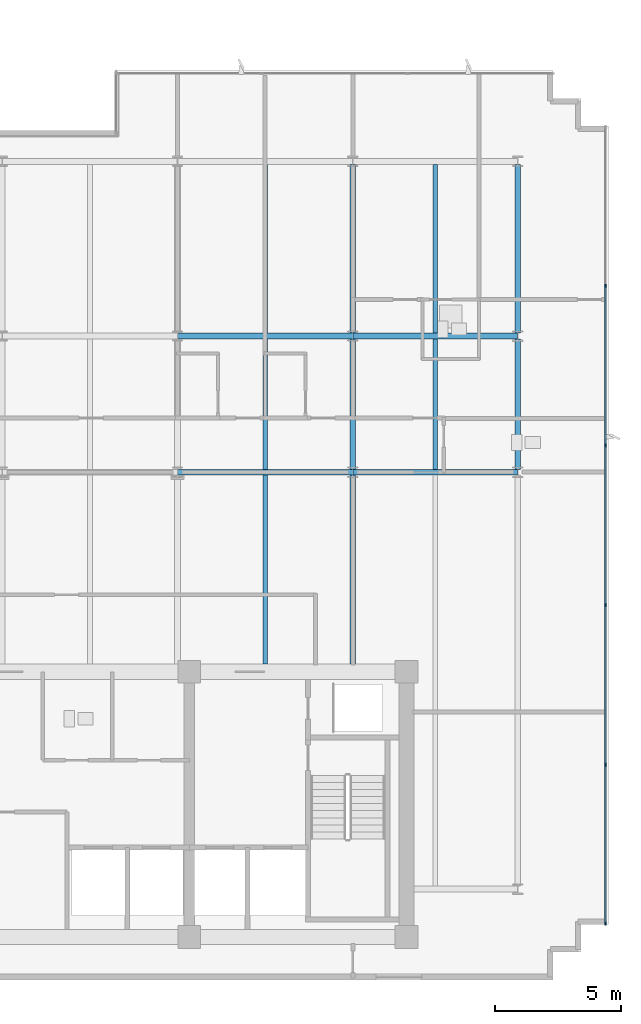
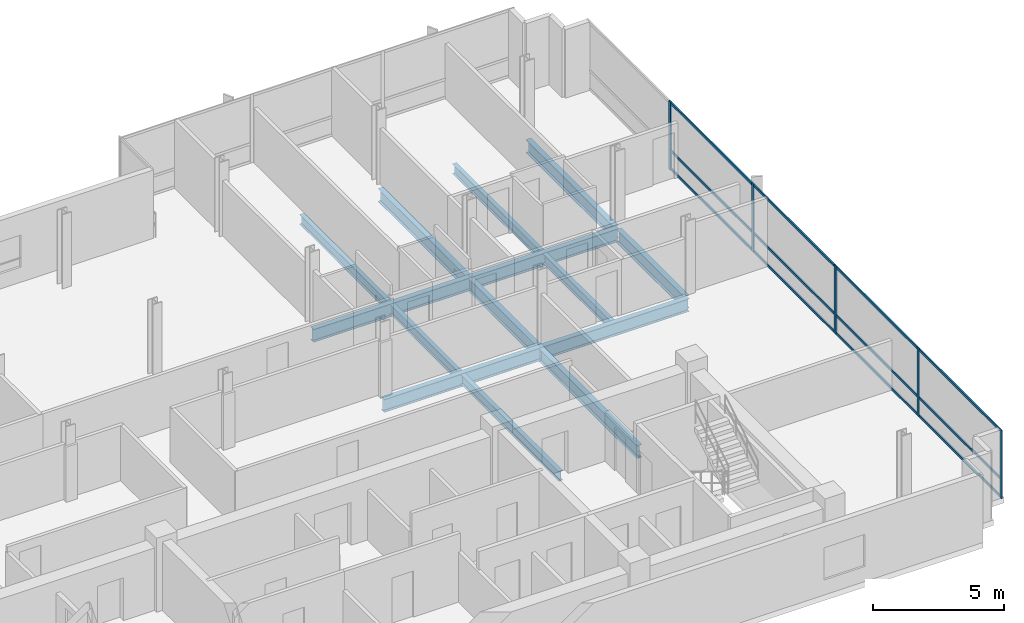
# One storey, part 6 of 17: 17 members, 14 beams, 1 element without a shape of its own.
"""IFC4 building model written with IfcOpenShell, lengths in metres."""

from ifc_helpers import new_model, si_unit, direction, frame, origin, origin_2d, place, context, subcontext, project, spatial, rectangle, i_section, extrude, material, material_profile, profile_set, type_object, element, aggregate, save


model = new_model("IFC4")

# Units and contexts
model_context = context("Model", 3, precision=1e-05, world=origin(), true_north=direction((0.0, 1.0)))
body_context = subcontext(model_context, "Body", "Model", "MODEL_VIEW")
ifc_project = project(units=[si_unit("LENGTHUNIT", "METRE"), si_unit("AREAUNIT", "SQUARE_METRE"), si_unit("VOLUMEUNIT", "CUBIC_METRE"), si_unit("PLANEANGLEUNIT", "RADIAN"), si_unit("MASSUNIT", "GRAM", prefix="KILO")], contexts=[model_context])

# Site, building, storey
site_placement = place(None, origin())
site = spatial("IfcSite", under=ifc_project, at=site_placement, CompositionType="ELEMENT")
building_placement = place(site_placement, origin())
building = spatial("IfcBuilding", under=site, at=building_placement, Name="Solmavex Isthmus Hotel", CompositionType="ELEMENT")
storey_placement = place(building_placement, frame((0.0, 0.0, 269.550048828125)))
storey = spatial("IfcBuildingStorey", under=building, at=storey_placement, Name="L73", CompositionType="ELEMENT", Elevation=269.550048828125)

# Beams
ifc_material_1 = material(Name="Steel ASTM A992 Grade 50", Category="steel")
ifc_material_profile_1 = material_profile(ifc_material_1, i_section(OverallWidth=0.1904296875, OverallDepth=0.456787109375, WebThickness=0.009033203125, FlangeThickness=0.014404296875, FilletRadius=0.0126953125, at=origin_2d()), Name="W18X50")
ifc_profile_set_1 = profile_set([ifc_material_profile_1], Name="Steel ASTM A992 Grade 50")
beam_type_1 = type_object("IfcBeamType", Name="BM-BJ-W18X50", PredefinedType="JOIST", material=ifc_profile_set_1)
beam_1_placement = place(storey_placement, frame((10.404052734375, -2.199951171875, -0.488525390625), z_axis=(0.0, 1.0, 0.0), x_axis=(-1.0, 0.0, 0.0)))
element("IfcBeam", 1, at=beam_1_placement, inside=storey, type_object=beam_type_1, Name="Secondary Floor Joist L73-J13", PredefinedType="JOIST", context=body_context, shape_type="SweptSolid", body=[
    extrude(i_section(OverallWidth=0.1904296875, OverallDepth=0.456787109375, WebThickness=0.009033203125, FlangeThickness=0.014404296875, FilletRadius=0.0126953125, at=origin_2d()), origin(), (0.0, 0.0, 1.0), 7.486083984375),
])
beam_2_placement = place(storey_placement, frame((10.404052734375, 5.513916015625, -0.488525390625), z_axis=(0.0, 1.0, 0.0), x_axis=(-1.0, 0.0, 0.0)))
element("IfcBeam", 2, at=beam_2_placement, inside=storey, type_object=beam_type_1, Name="Secondary Floor Joist L73-J14", PredefinedType="JOIST", context=body_context, shape_type="SweptSolid", body=[
    extrude(i_section(OverallWidth=0.1904296875, OverallDepth=0.456787109375, WebThickness=0.009033203125, FlangeThickness=0.014404296875, FilletRadius=0.0126953125, at=origin_2d()), origin(), (0.0, 0.0, 1.0), 5.16015625),
])
beam_3_placement = place(storey_placement, frame((10.404052734375, 10.90185546875, -0.488525390625), z_axis=(0.0, 1.0, 0.0), x_axis=(-1.0, 0.0, 0.0)))
element("IfcBeam", 3, at=beam_3_placement, inside=storey, type_object=beam_type_1, Name="Secondary Floor Joist L73-J15", PredefinedType="JOIST", context=body_context, shape_type="SweptSolid", body=[
    extrude(i_section(OverallWidth=0.1904296875, OverallDepth=0.456787109375, WebThickness=0.009033203125, FlangeThickness=0.014404296875, FilletRadius=0.0126953125, at=origin_2d()), origin(), (0.0, 0.0, 1.0), 6.682861328125),
])
beam_4_placement = place(storey_placement, frame((17.135986328125, 5.513916015625, -0.488525390625), z_axis=(0.0, 1.0, 0.0), x_axis=(-1.0, 0.0, 0.0)))
element("IfcBeam", 4, at=beam_4_placement, inside=storey, type_object=beam_type_1, Name="Secondary Floor Joist L73-J17", PredefinedType="JOIST", context=body_context, shape_type="SweptSolid", body=[
    extrude(i_section(OverallWidth=0.1904296875, OverallDepth=0.456787109375, WebThickness=0.009033203125, FlangeThickness=0.014404296875, FilletRadius=0.0126953125, at=origin_2d()), origin(), (0.0, 0.0, 1.0), 5.16015625),
])
beam_5_placement = place(storey_placement, frame((17.135986328125, 10.90185546875, -0.488525390625), z_axis=(0.0, 1.0, 0.0), x_axis=(-1.0, 0.0, 0.0)))
element("IfcBeam", 5, at=beam_5_placement, inside=storey, type_object=beam_type_1, Name="Secondary Floor Joist L73-J18", PredefinedType="JOIST", context=body_context, shape_type="SweptSolid", body=[
    extrude(i_section(OverallWidth=0.1904296875, OverallDepth=0.456787109375, WebThickness=0.009033203125, FlangeThickness=0.014404296875, FilletRadius=0.0126953125, at=origin_2d()), origin(), (0.0, 0.0, 1.0), 6.682861328125),
])
ifc_material_profile_2 = material_profile(ifc_material_1, i_section(OverallWidth=0.227783203125, OverallDepth=0.602783203125, WebThickness=0.010498046875, FlangeThickness=0.014892578125, FilletRadius=0.01513671875, at=origin_2d()), Name="W24X68")
ifc_profile_set_2 = profile_set([ifc_material_profile_2], Name="Steel ASTM A992 Grade 50")
beam_type_2 = type_object("IfcBeamType", Name="BM-BM-W24X68", PredefinedType="BEAM", material=ifc_profile_set_2)
beam_6_placement = place(storey_placement, frame((6.93603515625, 5.39990234375, -0.561279296875), z_axis=(1.0, 0.0, 0.0), x_axis=(0.0, 1.0, 0.0)))
element("IfcBeam", 6, at=beam_6_placement, inside=storey, type_object=beam_type_2, Name="Floor Girder L73-UG07", PredefinedType="BEAM", context=body_context, shape_type="SweptSolid", body=[
    extrude(i_section(OverallWidth=0.227783203125, OverallDepth=0.602783203125, WebThickness=0.010498046875, FlangeThickness=0.014892578125, FilletRadius=0.01513671875, at=origin_2d()), origin(), (0.0, 0.0, 1.0), 6.93603515625),
])
beam_7_placement = place(storey_placement, frame((13.8720703125, 5.39990234375, -0.561279296875), z_axis=(1.0, 0.0, 0.0), x_axis=(0.0, 1.0, 0.0)))
element("IfcBeam", 7, at=beam_7_placement, inside=storey, type_object=beam_type_2, Name="Floor Girder L73-UG08", PredefinedType="BEAM", context=body_context, shape_type="SweptSolid", body=[
    extrude(i_section(OverallWidth=0.227783203125, OverallDepth=0.602783203125, WebThickness=0.010498046875, FlangeThickness=0.014892578125, FilletRadius=0.01513671875, at=origin_2d()), origin(), (0.0, 0.0, 1.0), 6.52783203125),
])
beam_8_placement = place(storey_placement, frame((6.93603515625, 10.7880859375, -0.561279296875), z_axis=(1.0, 0.0, 0.0), x_axis=(0.0, 1.0, 0.0)))
element("IfcBeam", 8, at=beam_8_placement, inside=storey, type_object=beam_type_2, Name="Floor Girder L73-UG13", PredefinedType="BEAM", context=body_context, shape_type="SweptSolid", body=[
    extrude(i_section(OverallWidth=0.227783203125, OverallDepth=0.602783203125, WebThickness=0.010498046875, FlangeThickness=0.014892578125, FilletRadius=0.01513671875, at=origin_2d()), origin(), (0.0, 0.0, 1.0), 6.93603515625),
])
beam_9_placement = place(storey_placement, frame((13.8720703125, 10.7880859375, -0.561279296875), z_axis=(1.0, 0.0, 0.0), x_axis=(0.0, 1.0, 0.0)))
element("IfcBeam", 9, at=beam_9_placement, inside=storey, type_object=beam_type_2, Name="Floor Girder L73-UG14", PredefinedType="BEAM", context=body_context, shape_type="SweptSolid", body=[
    extrude(i_section(OverallWidth=0.227783203125, OverallDepth=0.602783203125, WebThickness=0.010498046875, FlangeThickness=0.014892578125, FilletRadius=0.01513671875, at=origin_2d()), origin(), (0.0, 0.0, 1.0), 6.52783203125),
])
beam_10_placement = place(storey_placement, frame((13.8720703125, -2.199951171875, -0.561279296875), z_axis=(0.0, 1.0, 0.0), x_axis=(-1.0, 0.0, 0.0)))
element("IfcBeam", 10, at=beam_10_placement, inside=storey, type_object=beam_type_2, Name="Floor Beam L73-VG36", PredefinedType="BEAM", context=body_context, shape_type="SweptSolid", body=[
    extrude(i_section(OverallWidth=0.227783203125, OverallDepth=0.602783203125, WebThickness=0.010498046875, FlangeThickness=0.014892578125, FilletRadius=0.01513671875, at=origin_2d()), origin(), (0.0, 0.0, 1.0), 7.486083984375),
])
beam_11_placement = place(storey_placement, frame((13.8720703125, 5.513916015625, -0.561279296875), z_axis=(0.0, 1.0, 0.0), x_axis=(-1.0, 0.0, 0.0)))
element("IfcBeam", 11, at=beam_11_placement, inside=storey, type_object=beam_type_2, Name="Floor Beam L73-VG37", PredefinedType="BEAM", context=body_context, shape_type="SweptSolid", body=[
    extrude(i_section(OverallWidth=0.227783203125, OverallDepth=0.602783203125, WebThickness=0.010498046875, FlangeThickness=0.014892578125, FilletRadius=0.01513671875, at=origin_2d()), origin(), (0.0, 0.0, 1.0), 5.16015625),
])
beam_12_placement = place(storey_placement, frame((13.8720703125, 10.90185546875, -0.561279296875), z_axis=(0.0, 1.0, 0.0), x_axis=(-1.0, 0.0, 0.0)))
element("IfcBeam", 12, at=beam_12_placement, inside=storey, type_object=beam_type_2, Name="Floor Beam L73-VG38", PredefinedType="BEAM", context=body_context, shape_type="SweptSolid", body=[
    extrude(i_section(OverallWidth=0.227783203125, OverallDepth=0.602783203125, WebThickness=0.010498046875, FlangeThickness=0.014892578125, FilletRadius=0.01513671875, at=origin_2d()), origin(), (0.0, 0.0, 1.0), 6.682861328125),
])
ifc_material_profile_3 = material_profile(ifc_material_1, i_section(OverallWidth=0.230224609375, OverallDepth=0.617431640625, WebThickness=0.01318359375, FlangeThickness=0.022216796875, FilletRadius=0.01513671875, at=origin_2d()), Name="W24X94")
ifc_profile_set_3 = profile_set([ifc_material_profile_3], Name="Steel ASTM A992 Grade 50")
beam_type_3 = type_object("IfcBeamType", Name="BM-SP-W24X94", PredefinedType="SPANDREL", material=ifc_profile_set_3)
beam_13_placement = place(storey_placement, frame((20.39990234375, 5.513916015625, -0.56884765625), z_axis=(0.0, 1.0, 0.0), x_axis=(-1.0, 0.0, 0.0)))
element("IfcBeam", 13, at=beam_13_placement, inside=storey, type_object=beam_type_3, Name="Floor Beam L73-VG40", PredefinedType="SPANDREL", context=body_context, shape_type="SweptSolid", body=[
    extrude(i_section(OverallWidth=0.230224609375, OverallDepth=0.617431640625, WebThickness=0.01318359375, FlangeThickness=0.022216796875, FilletRadius=0.01513671875, at=origin_2d()), origin(), (0.0, 0.0, 1.0), 5.16015625),
])
beam_14_placement = place(storey_placement, frame((20.39990234375, 10.90185546875, -0.56884765625), z_axis=(0.0, 1.0, 0.0), x_axis=(-1.0, 0.0, 0.0)))
element("IfcBeam", 14, at=beam_14_placement, inside=storey, type_object=beam_type_3, Name="Floor Beam L73-VG41", PredefinedType="SPANDREL", context=body_context, shape_type="SweptSolid", body=[
    extrude(i_section(OverallWidth=0.230224609375, OverallDepth=0.617431640625, WebThickness=0.01318359375, FlangeThickness=0.022216796875, FilletRadius=0.01513671875, at=origin_2d()), origin(), (0.0, 0.0, 1.0), 6.682861328125),
])

# Curtain wall, members
ifc_material_2 = material(Name="Aluminium alloy 6063-T6", Category="aluminium")
curtain_wall_type = type_object("IfcCurtainWallType", Name="CW-SYS-06", PredefinedType="NOTDEFINED", material=ifc_material_2)
curtain_wall_placement = place(storey_placement, origin())
curtain_wall = element("IfcCurtainWall", 15, at=curtain_wall_placement, inside=storey, type_object=curtain_wall_type, Name="Stick Curtain Wall CWL-L73-E1", PredefinedType="NOTDEFINED")
ifc_material_profile_4 = material_profile(ifc_material_2, rectangle(XDim=0.06005859375, YDim=0.139892578125, at=origin_2d()), Name="CWM-60X140")
ifc_profile_set_4 = profile_set([ifc_material_profile_4], Name="Aluminium alloy 6063-T6")
member_type_1 = type_object("IfcMemberType", Name="CW-SYS-06-MUL", PredefinedType="MULLION", material=ifc_profile_set_4)
member_1_placement = place(storey_placement, frame((23.8798828125, -12.469970703125, 0.0), z_axis=(0.0, 0.0, 1.0), x_axis=(-1.0, 0.0, 0.0)))
member_1 = element("IfcMember", 16, at=member_1_placement, type_object=member_type_1, Name="CW-06 mullion 1", PredefinedType="MULLION", context=body_context, shape_type="SweptSolid", body=[
    extrude(rectangle(XDim=0.06005859375, YDim=0.139892578125, at=origin_2d()), origin(), (0.0, 0.0, 1.0), 3.18994140625),
])
member_2_placement = place(storey_placement, frame((23.8798828125, -6.179931640625, 0.0), z_axis=(0.0, 0.0, 1.0), x_axis=(-1.0, 0.0, 0.0)))
member_2 = element("IfcMember", 17, at=member_2_placement, type_object=member_type_1, Name="CW-06 mullion 2", PredefinedType="MULLION", context=body_context, shape_type="SweptSolid", body=[
    extrude(rectangle(XDim=0.06005859375, YDim=0.139892578125, at=origin_2d()), origin(), (0.0, 0.0, 1.0), 3.18994140625),
])
member_3_placement = place(storey_placement, frame((23.8798828125, 0.139892578125, 0.0), z_axis=(0.0, 0.0, 1.0), x_axis=(-1.0, 0.0, 0.0)))
member_3 = element("IfcMember", 18, at=member_3_placement, type_object=member_type_1, Name="CW-06 mullion 3", PredefinedType="MULLION", context=body_context, shape_type="SweptSolid", body=[
    extrude(rectangle(XDim=0.06005859375, YDim=0.139892578125, at=origin_2d()), origin(), (0.0, 0.0, 1.0), 3.18994140625),
])
member_4_placement = place(storey_placement, frame((23.8798828125, 6.4599609375, 0.0), z_axis=(0.0, 0.0, 1.0), x_axis=(-1.0, 0.0, 0.0)))
member_4 = element("IfcMember", 19, at=member_4_placement, type_object=member_type_1, Name="CW-06 mullion 4", PredefinedType="MULLION", context=body_context, shape_type="SweptSolid", body=[
    extrude(rectangle(XDim=0.06005859375, YDim=0.139892578125, at=origin_2d()), origin(), (0.0, 0.0, 1.0), 3.18994140625),
])
member_5_placement = place(storey_placement, frame((23.8798828125, 12.780029296875, 0.0), z_axis=(0.0, 0.0, 1.0), x_axis=(-1.0, 0.0, 0.0)))
member_5 = element("IfcMember", 20, at=member_5_placement, type_object=member_type_1, Name="CW-06 mullion 5", PredefinedType="MULLION", context=body_context, shape_type="SweptSolid", body=[
    extrude(rectangle(XDim=0.06005859375, YDim=0.139892578125, at=origin_2d()), origin(), (0.0, 0.0, 1.0), 3.18994140625),
])
ifc_material_profile_5 = material_profile(ifc_material_2, rectangle(XDim=0.06005859375, YDim=0.114990234375, at=origin_2d()), Name="CWT-60X115")
ifc_profile_set_5 = profile_set([ifc_material_profile_5], Name="Aluminium alloy 6063-T6")
member_type_2 = type_object("IfcMemberType", Name="CW-SYS-06-TRN", PredefinedType="USERDEFINED", material=ifc_profile_set_5)
member_6_placement = place(storey_placement, frame((23.8798828125, -12.43994140625, 0.057373046875), z_axis=(0.0, 1.0, 0.0), x_axis=(-1.0, 0.0, 0.0)))
member_6 = element("IfcMember", 21, at=member_6_placement, type_object=member_type_2, Name="CW-06 transom 1.1", ObjectType="TRANSOM", PredefinedType="USERDEFINED", context=body_context, shape_type="SweptSolid", body=[
    extrude(rectangle(XDim=0.06005859375, YDim=0.114990234375, at=origin_2d()), origin(), (0.0, 0.0, 1.0), 6.22998046875),
])
member_7_placement = place(storey_placement, frame((23.8798828125, -12.43994140625, 0.89990234375), z_axis=(0.0, 1.0, 0.0), x_axis=(-1.0, 0.0, 0.0)))
member_7 = element("IfcMember", 22, at=member_7_placement, type_object=member_type_2, Name="CW-06 transom 1.2", ObjectType="TRANSOM", PredefinedType="USERDEFINED", context=body_context, shape_type="SweptSolid", body=[
    extrude(rectangle(XDim=0.06005859375, YDim=0.114990234375, at=origin_2d()), origin(), (0.0, 0.0, 1.0), 6.22998046875),
])
member_8_placement = place(storey_placement, frame((23.8798828125, -12.43994140625, 3.132568359375), z_axis=(0.0, 1.0, 0.0), x_axis=(-1.0, 0.0, 0.0)))
member_8 = element("IfcMember", 23, at=member_8_placement, type_object=member_type_2, Name="CW-06 transom 1.3", ObjectType="TRANSOM", PredefinedType="USERDEFINED", context=body_context, shape_type="SweptSolid", body=[
    extrude(rectangle(XDim=0.06005859375, YDim=0.114990234375, at=origin_2d()), origin(), (0.0, 0.0, 1.0), 6.22998046875),
])
member_9_placement = place(storey_placement, frame((23.8798828125, -6.14990234375, 0.057373046875), z_axis=(0.0, 1.0, 0.0), x_axis=(-1.0, 0.0, 0.0)))
member_9 = element("IfcMember", 24, at=member_9_placement, type_object=member_type_2, Name="CW-06 transom 2.1", ObjectType="TRANSOM", PredefinedType="USERDEFINED", context=body_context, shape_type="SweptSolid", body=[
    extrude(rectangle(XDim=0.06005859375, YDim=0.114990234375, at=origin_2d()), origin(), (0.0, 0.0, 1.0), 6.260009765625),
])
member_10_placement = place(storey_placement, frame((23.8798828125, -6.14990234375, 0.89990234375), z_axis=(0.0, 1.0, 0.0), x_axis=(-1.0, 0.0, 0.0)))
member_10 = element("IfcMember", 25, at=member_10_placement, type_object=member_type_2, Name="CW-06 transom 2.2", ObjectType="TRANSOM", PredefinedType="USERDEFINED", context=body_context, shape_type="SweptSolid", body=[
    extrude(rectangle(XDim=0.06005859375, YDim=0.114990234375, at=origin_2d()), origin(), (0.0, 0.0, 1.0), 6.260009765625),
])
member_11_placement = place(storey_placement, frame((23.8798828125, -6.14990234375, 3.132568359375), z_axis=(0.0, 1.0, 0.0), x_axis=(-1.0, 0.0, 0.0)))
member_11 = element("IfcMember", 26, at=member_11_placement, type_object=member_type_2, Name="CW-06 transom 2.3", ObjectType="TRANSOM", PredefinedType="USERDEFINED", context=body_context, shape_type="SweptSolid", body=[
    extrude(rectangle(XDim=0.06005859375, YDim=0.114990234375, at=origin_2d()), origin(), (0.0, 0.0, 1.0), 6.260009765625),
])
member_12_placement = place(storey_placement, frame((23.8798828125, 0.169921875, 0.057373046875), z_axis=(0.0, 1.0, 0.0), x_axis=(-1.0, 0.0, 0.0)))
member_12 = element("IfcMember", 27, at=member_12_placement, type_object=member_type_2, Name="CW-06 transom 3.1", ObjectType="TRANSOM", PredefinedType="USERDEFINED", context=body_context, shape_type="SweptSolid", body=[
    extrude(rectangle(XDim=0.06005859375, YDim=0.114990234375, at=origin_2d()), origin(), (0.0, 0.0, 1.0), 6.260009765625),
])
member_13_placement = place(storey_placement, frame((23.8798828125, 0.169921875, 0.89990234375), z_axis=(0.0, 1.0, 0.0), x_axis=(-1.0, 0.0, 0.0)))
member_13 = element("IfcMember", 28, at=member_13_placement, type_object=member_type_2, Name="CW-06 transom 3.2", ObjectType="TRANSOM", PredefinedType="USERDEFINED", context=body_context, shape_type="SweptSolid", body=[
    extrude(rectangle(XDim=0.06005859375, YDim=0.114990234375, at=origin_2d()), origin(), (0.0, 0.0, 1.0), 6.260009765625),
])
member_14_placement = place(storey_placement, frame((23.8798828125, 0.169921875, 3.132568359375), z_axis=(0.0, 1.0, 0.0), x_axis=(-1.0, 0.0, 0.0)))
member_14 = element("IfcMember", 29, at=member_14_placement, type_object=member_type_2, Name="CW-06 transom 3.3", ObjectType="TRANSOM", PredefinedType="USERDEFINED", context=body_context, shape_type="SweptSolid", body=[
    extrude(rectangle(XDim=0.06005859375, YDim=0.114990234375, at=origin_2d()), origin(), (0.0, 0.0, 1.0), 6.260009765625),
])
member_15_placement = place(storey_placement, frame((23.8798828125, 6.489990234375, 0.057373046875), z_axis=(0.0, 1.0, 0.0), x_axis=(-1.0, 0.0, 0.0)))
member_15 = element("IfcMember", 30, at=member_15_placement, type_object=member_type_2, Name="CW-06 transom 4.1", ObjectType="TRANSOM", PredefinedType="USERDEFINED", context=body_context, shape_type="SweptSolid", body=[
    extrude(rectangle(XDim=0.06005859375, YDim=0.114990234375, at=origin_2d()), origin(), (0.0, 0.0, 1.0), 6.260009765625),
])
member_16_placement = place(storey_placement, frame((23.8798828125, 6.489990234375, 0.89990234375), z_axis=(0.0, 1.0, 0.0), x_axis=(-1.0, 0.0, 0.0)))
member_16 = element("IfcMember", 31, at=member_16_placement, type_object=member_type_2, Name="CW-06 transom 4.2", ObjectType="TRANSOM", PredefinedType="USERDEFINED", context=body_context, shape_type="SweptSolid", body=[
    extrude(rectangle(XDim=0.06005859375, YDim=0.114990234375, at=origin_2d()), origin(), (0.0, 0.0, 1.0), 6.260009765625),
])
member_17_placement = place(storey_placement, frame((23.8798828125, 6.489990234375, 3.132568359375), z_axis=(0.0, 1.0, 0.0), x_axis=(-1.0, 0.0, 0.0)))
member_17 = element("IfcMember", 32, at=member_17_placement, type_object=member_type_2, Name="CW-06 transom 4.3", ObjectType="TRANSOM", PredefinedType="USERDEFINED", context=body_context, shape_type="SweptSolid", body=[
    extrude(rectangle(XDim=0.06005859375, YDim=0.114990234375, at=origin_2d()), origin(), (0.0, 0.0, 1.0), 6.260009765625),
])
aggregate(curtain_wall, [member_1, member_2, member_3, member_4, member_5, member_6, member_7, member_8, member_9, member_10, member_11, member_12, member_13, member_14, member_15, member_16, member_17])

save(model, "model.ifc")
